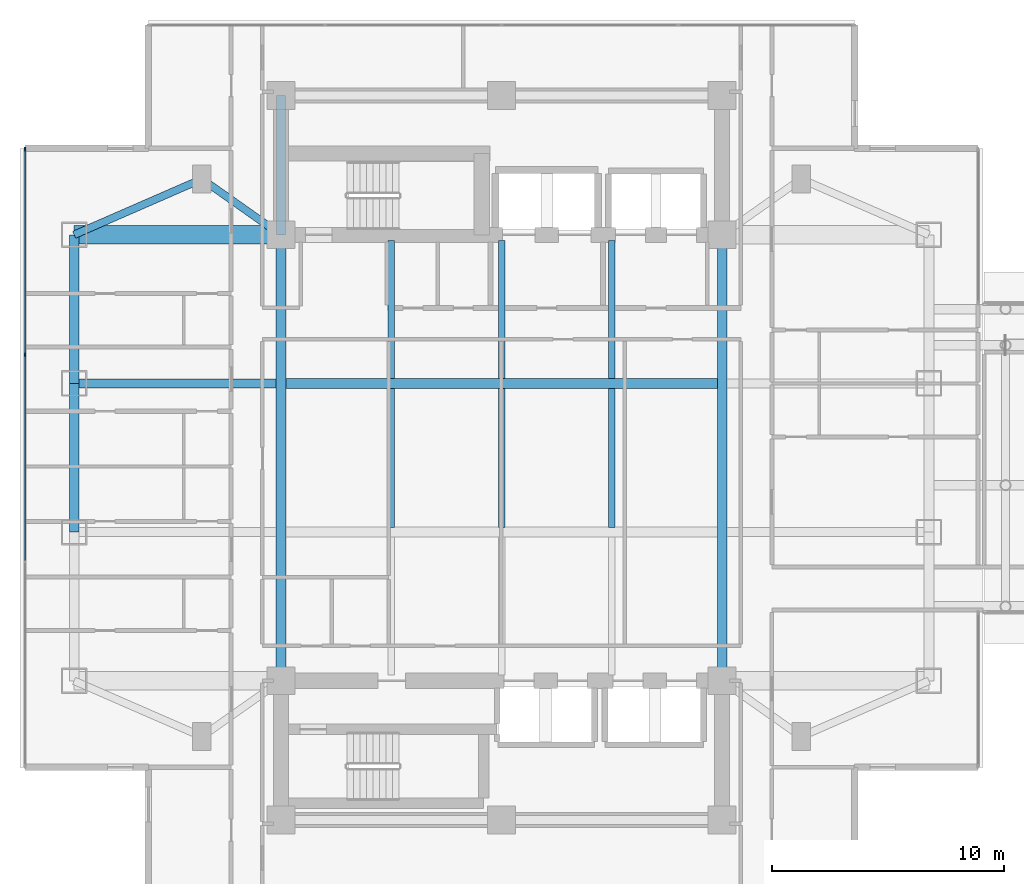
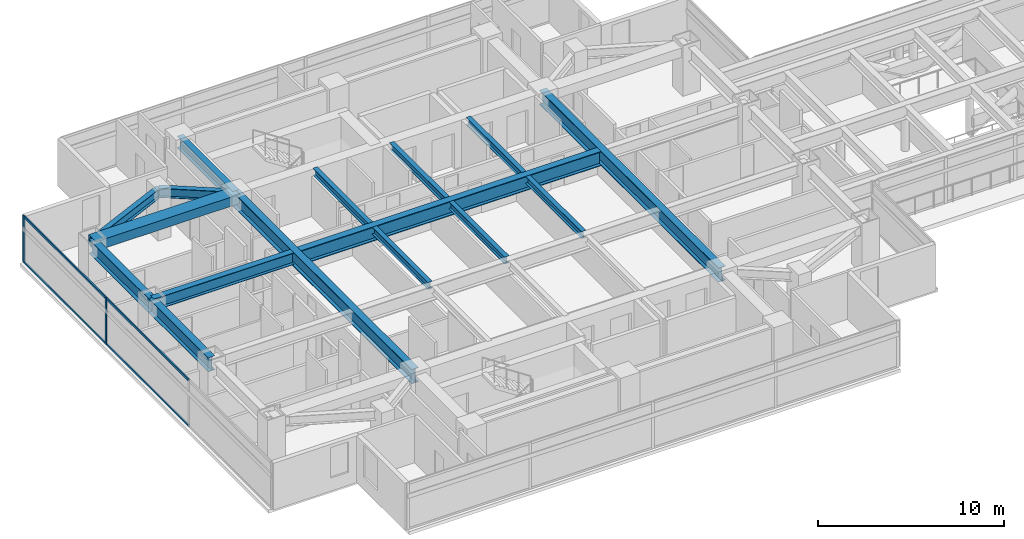
# One storey, part 3 of 28: 16 beams, 6 members, 1 element without a shape of its own.
"""IFC4 building model written with IfcOpenShell, lengths in metres."""

from ifc_helpers import new_model, si_unit, direction, frame, origin, origin_2d, place, context, subcontext, project, spatial, rectangle, i_section, extrude, material, material_profile, profile_set, type_object, element, aggregate, save


model = new_model("IFC4")

# Units and contexts
model_context = context("Model", 3, precision=1e-05, world=origin(), true_north=direction((0.0, 1.0)))
body_context = subcontext(model_context, "Body", "Model", "MODEL_VIEW")
ifc_project = project(units=[si_unit("LENGTHUNIT", "METRE"), si_unit("AREAUNIT", "SQUARE_METRE"), si_unit("VOLUMEUNIT", "CUBIC_METRE"), si_unit("PLANEANGLEUNIT", "RADIAN"), si_unit("MASSUNIT", "GRAM", prefix="KILO")], contexts=[model_context])

# Site, building, storey
site_placement = place(None, origin())
site = spatial("IfcSite", under=ifc_project, at=site_placement, CompositionType="ELEMENT")
building_placement = place(site_placement, origin())
building = spatial("IfcBuilding", under=site, at=building_placement, Name="Mirazonda Arch Towers", CompositionType="ELEMENT")
storey_placement = place(building_placement, frame((0.0, 0.0, 91.699951171875)))
storey = spatial("IfcBuildingStorey", under=building, at=storey_placement, Name="L25", CompositionType="ELEMENT", Elevation=91.699951171875)

# Beams
ifc_material_1 = material(Name="Steel ASTM A992 Grade 50", Category="steel")
ifc_material_profile_1 = material_profile(ifc_material_1, i_section(OverallWidth=0.41796875, OverallDepth=0.927001953125, WebThickness=0.019287109375, FlangeThickness=0.031982421875, at=origin_2d()), Name="W36X231")
ifc_profile_set_1 = profile_set([ifc_material_profile_1], Name="Steel ASTM A992 Grade 50")
beam_type_1 = type_object("IfcBeamType", Name="BM-EXT-W36X231", PredefinedType="USERDEFINED", material=ifc_profile_set_1)
beam_1_placement = place(storey_placement, frame((2.10009765625, 24.800048828125, 2.616455078125), z_axis=(0.0, 1.0, 0.0), x_axis=(-1.0, 0.0, 0.0)))
element("IfcBeam", 1, at=beam_1_placement, inside=storey, type_object=beam_type_1, Name="L25 Floor Beam BM-T1-L25-NS-W-24", ObjectType="GIRDER", PredefinedType="USERDEFINED", context=body_context, shape_type="SweptSolid", body=[
    extrude(i_section(OverallWidth=0.41796875, OverallDepth=0.927001953125, WebThickness=0.019287109375, FlangeThickness=0.031982421875, at=origin_2d()), origin(), (0.0, 0.0, 1.0), 6.39990234375),
])
beam_2_placement = place(storey_placement, frame((2.10009765625, 31.199951171875, 2.616455078125), z_axis=(0.0, 1.0, 0.0), x_axis=(-1.0, 0.0, 0.0)))
element("IfcBeam", 2, at=beam_2_placement, inside=storey, type_object=beam_type_1, Name="L25 Floor Beam BM-T1-L25-NS-W-31", ObjectType="GIRDER", PredefinedType="USERDEFINED", context=body_context, shape_type="SweptSolid", body=[
    extrude(i_section(OverallWidth=0.41796875, OverallDepth=0.927001953125, WebThickness=0.019287109375, FlangeThickness=0.031982421875, at=origin_2d()), origin(), (0.0, 0.0, 1.0), 6.400146484375),
])
ifc_material_profile_2 = material_profile(ifc_material_1, i_section(OverallWidth=0.280029296875, OverallDepth=0.462890625, WebThickness=0.0107421875, FlangeThickness=0.017333984375, at=origin_2d()), Name="W18X76")
ifc_profile_set_2 = profile_set([ifc_material_profile_2], Name="Steel ASTM A992 Grade 50")
beam_type_2 = type_object("IfcBeamType", Name="BM-INT-W18X76", PredefinedType="JOIST", material=ifc_profile_set_2)
beam_3_placement = place(storey_placement, frame((15.75, 31.407470703125, 2.8486328125), z_axis=(0.0, 1.0, 0.0), x_axis=(-1.0, 0.0, 0.0)))
element("IfcBeam", 3, at=beam_3_placement, inside=storey, type_object=beam_type_2, Name="L25 Floor Beam BM-T1-L25-J-157-31", PredefinedType="JOIST", context=body_context, shape_type="SweptSolid", body=[
    extrude(i_section(OverallWidth=0.280029296875, OverallDepth=0.462890625, WebThickness=0.0107421875, FlangeThickness=0.017333984375, at=origin_2d()), origin(), (0.0, 0.0, 1.0), 5.95263671875),
])
beam_4_placement = place(storey_placement, frame((15.75, 25.007568359375, 2.8486328125), z_axis=(0.0, 1.0, 0.0), x_axis=(-1.0, 0.0, 0.0)))
element("IfcBeam", 4, at=beam_4_placement, inside=storey, type_object=beam_type_2, Name="L25 Floor Beam BM-T1-L25-J-157-24", PredefinedType="JOIST", context=body_context, shape_type="SweptSolid", body=[
    extrude(i_section(OverallWidth=0.280029296875, OverallDepth=0.462890625, WebThickness=0.0107421875, FlangeThickness=0.017333984375, at=origin_2d()), origin(), (0.0, 0.0, 1.0), 5.98486328125),
])
beam_5_placement = place(storey_placement, frame((20.5, 31.407470703125, 2.8486328125), z_axis=(0.0, 1.0, 0.0), x_axis=(-1.0, 0.0, 0.0)))
element("IfcBeam", 5, at=beam_5_placement, inside=storey, type_object=beam_type_2, Name="L25 Floor Beam BM-T1-L25-J-205-31", PredefinedType="JOIST", context=body_context, shape_type="SweptSolid", body=[
    extrude(i_section(OverallWidth=0.280029296875, OverallDepth=0.462890625, WebThickness=0.0107421875, FlangeThickness=0.017333984375, at=origin_2d()), origin(), (0.0, 0.0, 1.0), 5.95263671875),
])
beam_6_placement = place(storey_placement, frame((20.5, 25.007568359375, 2.8486328125), z_axis=(0.0, 1.0, 0.0), x_axis=(-1.0, 0.0, 0.0)))
element("IfcBeam", 6, at=beam_6_placement, inside=storey, type_object=beam_type_2, Name="L25 Floor Beam BM-T1-L25-J-205-24", PredefinedType="JOIST", context=body_context, shape_type="SweptSolid", body=[
    extrude(i_section(OverallWidth=0.280029296875, OverallDepth=0.462890625, WebThickness=0.0107421875, FlangeThickness=0.017333984375, at=origin_2d()), origin(), (0.0, 0.0, 1.0), 5.98486328125),
])
beam_7_placement = place(storey_placement, frame((25.25, 31.407470703125, 2.8486328125), z_axis=(0.0, 1.0, 0.0), x_axis=(-1.0, 0.0, 0.0)))
element("IfcBeam", 7, at=beam_7_placement, inside=storey, type_object=beam_type_2, Name="L25 Floor Beam BM-T1-L25-J-252-31", PredefinedType="JOIST", context=body_context, shape_type="SweptSolid", body=[
    extrude(i_section(OverallWidth=0.280029296875, OverallDepth=0.462890625, WebThickness=0.0107421875, FlangeThickness=0.017333984375, at=origin_2d()), origin(), (0.0, 0.0, 1.0), 5.95263671875),
])
beam_8_placement = place(storey_placement, frame((25.25, 25.007568359375, 2.8486328125), z_axis=(0.0, 1.0, 0.0), x_axis=(-1.0, 0.0, 0.0)))
element("IfcBeam", 8, at=beam_8_placement, inside=storey, type_object=beam_type_2, Name="L25 Floor Beam BM-T1-L25-J-252-24", PredefinedType="JOIST", context=body_context, shape_type="SweptSolid", body=[
    extrude(i_section(OverallWidth=0.280029296875, OverallDepth=0.462890625, WebThickness=0.0107421875, FlangeThickness=0.017333984375, at=origin_2d()), origin(), (0.0, 0.0, 1.0), 5.98486328125),
])
ifc_material_profile_3 = material_profile(ifc_material_1, i_section(OverallWidth=0.324951171875, OverallDepth=0.615966796875, WebThickness=0.013916015625, FlangeThickness=0.021484375, at=origin_2d()), Name="W24X117")
ifc_profile_set_3 = profile_set([ifc_material_profile_3], Name="Steel ASTM A992 Grade 50")
beam_type_3 = type_object("IfcBeamType", Name="BM-INT-W24X117", PredefinedType="BEAM", material=ifc_profile_set_3)
beam_9_placement = place(storey_placement, frame((7.60009765625, 40.0, 2.77197265625), z_axis=(0.816971114901, -0.576678591087, 0.0), x_axis=(0.576678591087, 0.816971114901, 0.0)))
element("IfcBeam", 9, at=beam_9_placement, inside=storey, type_object=beam_type_3, Name="L25 Floor Beam BM-T1-L25-PL-NW1", PredefinedType="BEAM", context=body_context, shape_type="SweptSolid", body=[
    extrude(i_section(OverallWidth=0.324951171875, OverallDepth=0.615966796875, WebThickness=0.013916015625, FlangeThickness=0.021484375, at=origin_2d()), origin(), (0.0, 0.0, 1.0), 4.16162109375),
])
beam_10_placement = place(storey_placement, frame((7.60009765625, 40.0, 2.77197265625), z_axis=(-0.916545343703, -0.399930785183, 0.0), x_axis=(0.399930785183, -0.916545343703, 0.0)))
element("IfcBeam", 10, at=beam_10_placement, inside=storey, type_object=beam_type_3, Name="L25 Floor Beam BM-T1-L25-PL-NW2", PredefinedType="BEAM", context=body_context, shape_type="SweptSolid", body=[
    extrude(i_section(OverallWidth=0.324951171875, OverallDepth=0.615966796875, WebThickness=0.013916015625, FlangeThickness=0.021484375, at=origin_2d()), origin(), (0.0, 0.0, 1.0), 6.000732421875),
])
ifc_material_profile_4 = material_profile(ifc_material_1, i_section(OverallWidth=0.381103515625, OverallDepth=0.77294921875, WebThickness=0.0166015625, FlangeThickness=0.027099609375, at=origin_2d()), Name="W30X173")
ifc_profile_set_4 = profile_set([ifc_material_profile_4], Name="Steel ASTM A992 Grade 50")
beam_type_4 = type_object("IfcBeamType", Name="BM-INT-W30X173", PredefinedType="USERDEFINED", material=ifc_profile_set_4)
beam_11_placement = place(storey_placement, frame((2.10009765625, 31.199951171875, 2.693603515625), z_axis=(1.0, 0.0, 0.0), x_axis=(0.0, 1.0, 0.0)))
element("IfcBeam", 11, at=beam_11_placement, inside=storey, type_object=beam_type_4, Name="L25 Floor Beam BM-T1-L25-GW3", ObjectType="GIRDER", PredefinedType="USERDEFINED", context=body_context, shape_type="SweptSolid", body=[
    extrude(i_section(OverallWidth=0.381103515625, OverallDepth=0.77294921875, WebThickness=0.0166015625, FlangeThickness=0.027099609375, at=origin_2d()), origin(), (0.0, 0.0, 1.0), 8.6884765625),
])
beam_12_placement = place(storey_placement, frame((11.0, 37.60009765625, 2.693603515625), z_axis=(0.0, 1.0, 0.0), x_axis=(-1.0, 0.0, 0.0)))
element("IfcBeam", 12, at=beam_12_placement, inside=storey, type_object=beam_type_4, Name="L25 Floor Beam BM-T1-L25-CNW", ObjectType="GIRDER", PredefinedType="USERDEFINED", context=body_context, shape_type="SweptSolid", body=[
    extrude(i_section(OverallWidth=0.381103515625, OverallDepth=0.77294921875, WebThickness=0.0166015625, FlangeThickness=0.027099609375, at=origin_2d()), origin(), (0.0, 0.0, 1.0), 6.0),
])
ifc_material_profile_5 = material_profile(ifc_material_1, i_section(OverallWidth=0.423095703125, OverallDepth=0.947998046875, WebThickness=0.02392578125, FlangeThickness=0.042724609375, at=origin_2d()), Name="W36X302")
ifc_profile_set_5 = profile_set([ifc_material_profile_5], Name="Steel ASTM A992 Grade 50")
beam_type_5 = type_object("IfcBeamType", Name="BM-INT-W36X302", PredefinedType="USERDEFINED", material=ifc_profile_set_5)
beam_13_placement = place(storey_placement, frame((11.21142578125, 31.199951171875, 2.60595703125), z_axis=(1.0, 0.0, 0.0), x_axis=(0.0, 1.0, 0.0)))
element("IfcBeam", 13, at=beam_13_placement, inside=storey, type_object=beam_type_5, Name="L25 Floor Beam BM-T1-L25-GC3", ObjectType="GIRDER", PredefinedType="USERDEFINED", context=body_context, shape_type="SweptSolid", body=[
    extrude(i_section(OverallWidth=0.423095703125, OverallDepth=0.947998046875, WebThickness=0.02392578125, FlangeThickness=0.042724609375, at=origin_2d()), origin(), (0.0, 0.0, 1.0), 18.5771484375),
])
for number, where, z_axis, x_axis, name in (
    (14, (11.0, 18.39990234375, 2.60595703125), (0.0, 1.0, 0.0), (-1.0, 0.0, 0.0), "L25 Floor Beam BM-T1-L25-NS-CW-FULL"),
    (15, (30.0, 18.39990234375, 2.60595703125), (0.0, 1.0, 0.0), (-1.0, 0.0, 0.0), "L25 Floor Beam BM-T1-L25-NS-CE-FULL"),
):
    element("IfcBeam", number, at=place(storey_placement, frame(where, z_axis=z_axis, x_axis=x_axis)), inside=storey, type_object=beam_type_5, Name=name, ObjectType="GIRDER", PredefinedType="USERDEFINED", context=body_context, shape_type="SweptSolid", body=[
        extrude(i_section(OverallWidth=0.423095703125, OverallDepth=0.947998046875, WebThickness=0.02392578125, FlangeThickness=0.042724609375, at=origin_2d()), origin(), (0.0, 0.0, 1.0), 19.2001953125),
    ])
ifc_material_2 = material(Name="Concrete C60/75", Category="concrete")
ifc_material_profile_6 = material_profile(ifc_material_2, rectangle(XDim=0.800048828125, YDim=0.60009765625, at=origin_2d()), Name="RCCB800x600")
ifc_profile_set_6 = profile_set([ifc_material_profile_6], Name="Concrete C60/75")
beam_type_6 = type_object("IfcBeamType", Name="CB-INT-RCCB800x600", PredefinedType="SPANDREL", material=ifc_profile_set_6)
beam_14_placement = place(storey_placement, frame((2.10009765625, 37.60009765625, 2.780029296875), z_axis=(1.0, 0.0, 0.0), x_axis=(0.0, 1.0, 0.0)))
element("IfcBeam", 16, at=beam_14_placement, inside=storey, type_object=beam_type_6, Name="L25 Floor Beam CBC-T1-L25-NW", PredefinedType="SPANDREL", context=body_context, shape_type="SweptSolid", body=[
    extrude(rectangle(XDim=0.800048828125, YDim=0.60009765625, at=origin_2d()), origin(), (0.0, 0.0, 1.0), 8.89990234375),
])

# Curtain wall, members
ifc_material_3 = material(Name="Anodised Aluminium and Low-E Glass", Category="aluminium")
curtain_wall_type = type_object("IfcCurtainWallType", Name="CW-HTL-UNIT", PredefinedType="NOTDEFINED", material=ifc_material_3)
curtain_wall_placement = place(storey_placement, origin())
curtain_wall = element("IfcCurtainWall", 17, at=curtain_wall_placement, inside=storey, type_object=curtain_wall_type, Name="L25 T1 W Facade CW-L25-T1-W", PredefinedType="NOTDEFINED")
ifc_material_4 = material(Name="Anodised Aluminium Alloy", Category="aluminium")
ifc_material_profile_7 = material_profile(ifc_material_4, rectangle(XDim=0.074951171875, YDim=0.1650390625, at=origin_2d()), Name="ALU-MULL-75x165")
ifc_profile_set_7 = profile_set([ifc_material_profile_7], Name="Anodised Aluminium Alloy")
member_type_1 = type_object("IfcMemberType", Name="MULL-CW-HTL-UNIT", PredefinedType="MULLION", material=ifc_profile_set_7)
member_1_placement = place(storey_placement, frame((-0.010009765625, 41.285400390625, 0.0), z_axis=(0.0, 0.0, 1.0), x_axis=(1.0, 0.0, 0.0)))
member_1 = element("IfcMember", 18, at=member_1_placement, type_object=member_type_1, Name="CW-112 mullion 1", PredefinedType="MULLION", context=body_context, shape_type="SweptSolid", body=[
    extrude(rectangle(XDim=0.074951171875, YDim=0.1650390625, at=origin_2d()), origin(), (0.0, 0.0, 1.0), 3.06005859375),
])
member_2_placement = place(storey_placement, frame((-0.010009765625, 32.44091796875, 0.0), z_axis=(0.0, 0.0, 1.0), x_axis=(1.0, 0.0, 0.0)))
member_2 = element("IfcMember", 19, at=member_2_placement, type_object=member_type_1, Name="CW-112 mullion 2", PredefinedType="MULLION", context=body_context, shape_type="SweptSolid", body=[
    extrude(rectangle(XDim=0.074951171875, YDim=0.1650390625, at=origin_2d()), origin(), (0.0, 0.0, 1.0), 3.06005859375),
])
ifc_material_profile_8 = material_profile(ifc_material_4, rectangle(XDim=0.074951171875, YDim=0.14501953125, at=origin_2d()), Name="ALU-TRAN-75x145")
ifc_profile_set_8 = profile_set([ifc_material_profile_8], Name="Anodised Aluminium Alloy")
member_type_2 = type_object("IfcMemberType", Name="TRAN-CW-HTL-UNIT", PredefinedType="USERDEFINED", material=ifc_profile_set_8)
member_3_placement = place(storey_placement, frame((-0.010009765625, 41.248046875, 0.03759765625), z_axis=(0.0, -1.0, 0.0), x_axis=(1.0, 0.0, 0.0)))
member_3 = element("IfcMember", 20, at=member_3_placement, type_object=member_type_2, Name="CW-112 transom 1.1", ObjectType="TRANSOM", PredefinedType="USERDEFINED", context=body_context, shape_type="SweptSolid", body=[
    extrude(rectangle(XDim=0.074951171875, YDim=0.14501953125, at=origin_2d()), origin(), (0.0, 0.0, 1.0), 8.76953125),
])
member_4_placement = place(storey_placement, frame((-0.010009765625, 41.248046875, 3.0224609375), z_axis=(0.0, -1.0, 0.0), x_axis=(1.0, 0.0, 0.0)))
member_4 = element("IfcMember", 21, at=member_4_placement, type_object=member_type_2, Name="CW-112 transom 1.2", ObjectType="TRANSOM", PredefinedType="USERDEFINED", context=body_context, shape_type="SweptSolid", body=[
    extrude(rectangle(XDim=0.074951171875, YDim=0.14501953125, at=origin_2d()), origin(), (0.0, 0.0, 1.0), 8.76953125),
])
member_5_placement = place(storey_placement, frame((-0.010009765625, 32.403564453125, 0.03759765625), z_axis=(0.0, -1.0, 0.0), x_axis=(1.0, 0.0, 0.0)))
member_5 = element("IfcMember", 22, at=member_5_placement, type_object=member_type_2, Name="CW-112 transom 2.1", ObjectType="TRANSOM", PredefinedType="USERDEFINED", context=body_context, shape_type="SweptSolid", body=[
    extrude(rectangle(XDim=0.074951171875, YDim=0.14501953125, at=origin_2d()), origin(), (0.0, 0.0, 1.0), 8.80712890625),
])
member_6_placement = place(storey_placement, frame((-0.010009765625, 32.403564453125, 3.0224609375), z_axis=(0.0, -1.0, 0.0), x_axis=(1.0, 0.0, 0.0)))
member_6 = element("IfcMember", 23, at=member_6_placement, type_object=member_type_2, Name="CW-112 transom 2.2", ObjectType="TRANSOM", PredefinedType="USERDEFINED", context=body_context, shape_type="SweptSolid", body=[
    extrude(rectangle(XDim=0.074951171875, YDim=0.14501953125, at=origin_2d()), origin(), (0.0, 0.0, 1.0), 8.80712890625),
])
aggregate(curtain_wall, [member_1, member_2, member_3, member_4, member_5, member_6])

save(model, "model.ifc")
